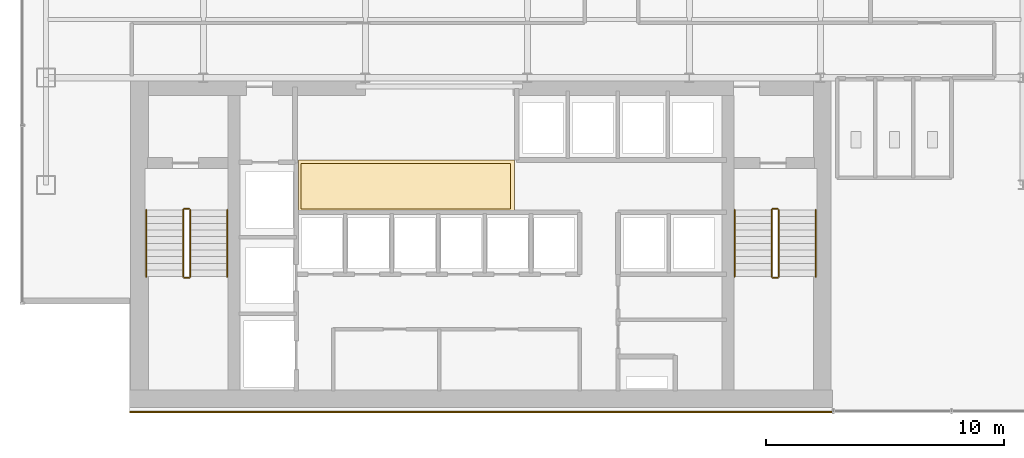
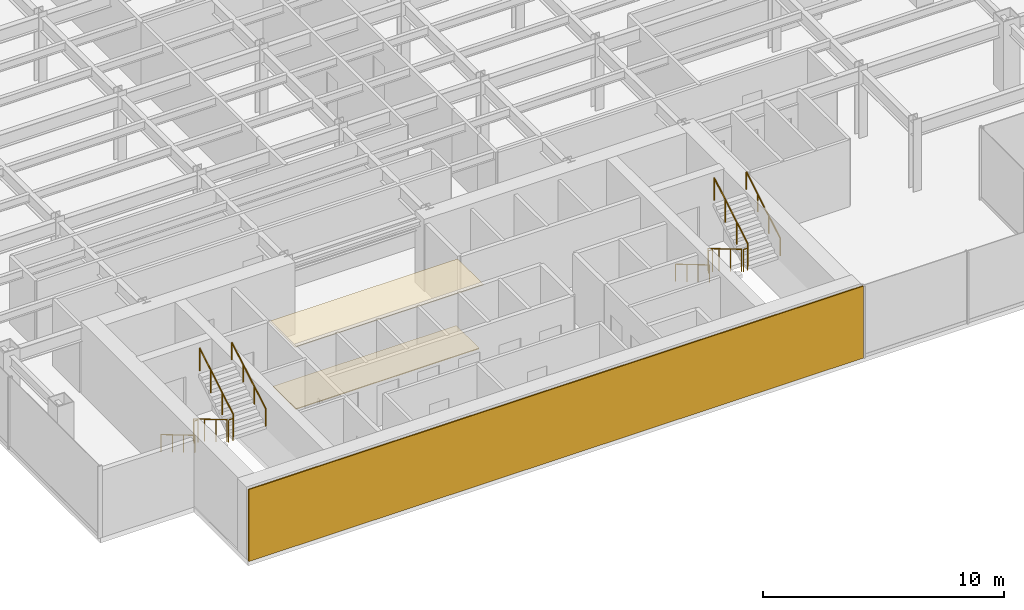
# One storey, part 24 of 26: 12 railings, 3 coverings.
"""IFC4 building model written with IfcOpenShell, lengths in metres."""

from ifc_helpers import new_model, si_unit, derived_unit, direction, frame, origin, origin_2d, place, context, subcontext, project, spatial, polyline, rectangle, circle, outline, extrude, source, transform, mapped, material, layer, layer_set, type_object, element, save


model = new_model("IFC4")

# Units and contexts
model_context = context("Model", 3, precision=1e-05, world=origin(), true_north=direction((0.0, 1.0)))
body_context = subcontext(model_context, "Body", "Model", "MODEL_VIEW")
ifc_project = project(units=[si_unit("LENGTHUNIT", "METRE"), si_unit("AREAUNIT", "SQUARE_METRE"), si_unit("VOLUMEUNIT", "CUBIC_METRE"), si_unit("PLANEANGLEUNIT", "RADIAN"), si_unit("MASSUNIT", "GRAM", prefix="KILO"), derived_unit("THERMALTRANSMITTANCEUNIT", [(si_unit("POWERUNIT", "WATT"), 1), (si_unit("LENGTHUNIT", "METRE"), -2), (si_unit("THERMODYNAMICTEMPERATUREUNIT", "KELVIN"), -1)])], contexts=[model_context])

# Site, building, storey
site_placement = place(None, origin())
site = spatial("IfcSite", under=ifc_project, at=site_placement, CompositionType="ELEMENT")
building_placement = place(site_placement, origin())
building = spatial("IfcBuilding", under=site, at=building_placement, Name="Skarnbrae Concourse Arena and Tower", CompositionType="ELEMENT")
storey_placement = place(building_placement, frame((0.0, 0.0, 95.949951171875)))
storey = spatial("IfcBuildingStorey", under=building, at=storey_placement, Name="L23", CompositionType="ELEMENT", Elevation=95.949951171875)

# Coverings
ifc_material_1 = material(Name="Mineral fibre acoustic ceiling tile", Category="other")
ifc_layer_1 = layer(ifc_material_1, 0.0400390625)
ifc_layer_set_1 = layer_set([ifc_layer_1], Name="Mineral fibre acoustic ceiling tile")
covering_type_1 = type_object("IfcCoveringType", Name="COV-CEIL-ACOUSTIC", PredefinedType="CEILING", material=ifc_layer_set_1)
covering_1_placement = place(storey_placement, frame((0.0, 0.0, 3.239990234375)))
element("IfcCovering", 1, at=covering_1_placement, inside=storey, type_object=covering_type_1, Name="L23 Lift lobby acoustic ceiling", PredefinedType="CEILING", context=body_context, shape_type="SweptSolid", body=[
    extrude(outline(polyline([(11.60009765625, 8.39990234375), (20.64990234375, 8.39990234375), (20.64990234375, 10.550048828125), (11.60009765625, 10.550048828125), (11.60009765625, 8.39990234375)])), origin(), (0.0, 0.0, 1.0), 0.0400390625),
])
ifc_material_2 = material(Name="Polished granite terrazzo flooring", Category="masonry")
ifc_layer_2 = layer(ifc_material_2, 0.0400390625)
ifc_layer_set_2 = layer_set([ifc_layer_2], Name="Polished granite terrazzo flooring")
covering_type_2 = type_object("IfcCoveringType", Name="COV-FLOOR-TERRAZZO", PredefinedType="FLOORING", material=ifc_layer_set_2)
covering_2_placement = place(storey_placement, origin())
element("IfcCovering", 2, at=covering_2_placement, inside=storey, type_object=covering_type_2, Name="L23 Lift lobby terrazzo flooring", PredefinedType="FLOORING", context=body_context, shape_type="SweptSolid", body=[
    extrude(outline(polyline([(11.699951171875, 8.5), (20.5, 8.5), (20.5, 10.39990234375), (11.699951171875, 10.39990234375), (11.699951171875, 8.5)])), origin(), (0.0, 0.0, 1.0), 0.0400390625),
])

# Railings
ifc_material_3 = material(Name="Steel CSA G40.21 350W", Category="steel")
railing_type_1 = type_object("IfcRailingType", Name="RAIL-HANDRAIL-900", PredefinedType="HANDRAIL", material=ifc_material_3)
railing_1_placement = place(storey_placement, frame((5.199951171875, 8.449951171875, 0.166015625)))
element("IfcRailing", 3, at=railing_1_placement, inside=storey, type_object=railing_type_1, Name="L23 ST-1 stair handrail 1", PredefinedType="HANDRAIL", context=body_context, shape_type="SweptSolid", body=[
    extrude(circle(Radius=0.02392578125, at=origin_2d()), frame((0.0, 0.0, 0.8759765625), z_axis=(0.0, -0.860339051648, 0.50972219513), x_axis=(1.0, 0.0, 0.0)), (0.0, 0.0, 1.0), 3.254638671875),
    extrude(circle(Radius=0.02099609375, at=origin_2d()), origin(), (0.0, 0.0, 1.0), 0.851806640625),
    extrude(circle(Radius=0.02099609375, at=origin_2d()), frame((0.0, -0.933349609375, 0.552978515625)), (0.0, 0.0, 1.0), 0.851806640625),
    extrude(circle(Radius=0.02099609375, at=origin_2d()), frame((0.0, -1.86669921875, 1.10595703125)), (0.0, 0.0, 1.0), 0.851806640625),
    extrude(circle(Radius=0.02099609375, at=origin_2d()), frame((0.0, -2.800048828125, 1.658935546875)), (0.0, 0.0, 1.0), 0.851806640625),
])
railing_2_placement = place(storey_placement, frame((8.60009765625, 5.64990234375, 1.990966796875)))
element("IfcRailing", 4, at=railing_2_placement, inside=storey, type_object=railing_type_1, Name="L23 ST-1 stair handrail 2", PredefinedType="HANDRAIL", context=body_context, shape_type="SweptSolid", body=[
    extrude(circle(Radius=0.02392578125, at=origin_2d()), frame((0.0, 0.0, 0.8759765625), z_axis=(0.0, 0.860306154799, 0.50977771628), x_axis=(-1.0, 0.0, 0.0)), (0.0, 0.0, 1.0), 3.254638671875),
    extrude(circle(Radius=0.02099609375, at=origin_2d()), origin(), (0.0, 0.0, 1.0), 0.851806640625),
    extrude(circle(Radius=0.02099609375, at=origin_2d()), frame((0.0, 0.933349609375, 0.552978515625)), (0.0, 0.0, 1.0), 0.851806640625),
    extrude(circle(Radius=0.02099609375, at=origin_2d()), frame((0.0, 1.86669921875, 1.106201171875)), (0.0, 0.0, 1.0), 0.851806640625),
    extrude(circle(Radius=0.02099609375, at=origin_2d()), frame((0.0, 2.800048828125, 1.6591796875)), (0.0, 0.0, 1.0), 0.851806640625),
])
railing_3_placement = place(storey_placement, frame((29.89990234375, 8.449951171875, 0.166015625)))
element("IfcRailing", 5, at=railing_3_placement, inside=storey, type_object=railing_type_1, Name="L23 ST-2 stair handrail 1", PredefinedType="HANDRAIL", context=body_context, shape_type="SweptSolid", body=[
    extrude(circle(Radius=0.02392578125, at=origin_2d()), frame((0.0, 0.0, 0.8759765625), z_axis=(0.0, -0.860339051648, 0.50972219513), x_axis=(1.0, 0.0, 0.0)), (0.0, 0.0, 1.0), 3.254638671875),
    extrude(circle(Radius=0.02099609375, at=origin_2d()), origin(), (0.0, 0.0, 1.0), 0.851806640625),
    extrude(circle(Radius=0.02099609375, at=origin_2d()), frame((0.0, -0.933349609375, 0.552978515625)), (0.0, 0.0, 1.0), 0.851806640625),
    extrude(circle(Radius=0.02099609375, at=origin_2d()), frame((0.0, -1.86669921875, 1.10595703125)), (0.0, 0.0, 1.0), 0.851806640625),
    extrude(circle(Radius=0.02099609375, at=origin_2d()), frame((0.0, -2.800048828125, 1.658935546875)), (0.0, 0.0, 1.0), 0.851806640625),
])
railing_4_placement = place(storey_placement, frame((33.300048828125, 5.64990234375, 1.990966796875)))
element("IfcRailing", 6, at=railing_4_placement, inside=storey, type_object=railing_type_1, Name="L23 ST-2 stair handrail 2", PredefinedType="HANDRAIL", context=body_context, shape_type="SweptSolid", body=[
    extrude(circle(Radius=0.02392578125, at=origin_2d()), frame((0.0, 0.0, 0.8759765625), z_axis=(0.0, 0.860306154799, 0.50977771628), x_axis=(-1.0, 0.0, 0.0)), (0.0, 0.0, 1.0), 3.254638671875),
    extrude(circle(Radius=0.02099609375, at=origin_2d()), origin(), (0.0, 0.0, 1.0), 0.851806640625),
    extrude(circle(Radius=0.02099609375, at=origin_2d()), frame((0.0, 0.933349609375, 0.552978515625)), (0.0, 0.0, 1.0), 0.851806640625),
    extrude(circle(Radius=0.02099609375, at=origin_2d()), frame((0.0, 1.86669921875, 1.106201171875)), (0.0, 0.0, 1.0), 0.851806640625),
    extrude(circle(Radius=0.02099609375, at=origin_2d()), frame((0.0, 2.800048828125, 1.6591796875)), (0.0, 0.0, 1.0), 0.851806640625),
])
railing_type_2 = type_object("IfcRailingType", Name="RAIL-STAIR-GUARD-1150", PredefinedType="GUARDRAIL", material=ifc_material_3)
railing_5_placement = place(storey_placement, frame((6.75, 8.449951171875, 0.166015625)))
element("IfcRailing", 7, at=railing_5_placement, inside=storey, type_object=railing_type_2, Name="L23 ST-1 stair guard 1", PredefinedType="GUARDRAIL", context=body_context, shape_type="SweptSolid", body=[
    extrude(circle(Radius=0.02392578125, at=origin_2d()), frame((0.0, 0.0, 1.1259765625), z_axis=(0.0, -0.860339051648, 0.50972219513), x_axis=(1.0, 0.0, 0.0)), (0.0, 0.0, 1.0), 3.254638671875),
    extrude(circle(Radius=0.02099609375, at=origin_2d()), origin(), (0.0, 0.0, 1.0), 1.101806640625),
    extrude(circle(Radius=0.02099609375, at=origin_2d()), frame((0.0, -0.933349609375, 0.552978515625)), (0.0, 0.0, 1.0), 1.101806640625),
    extrude(circle(Radius=0.02099609375, at=origin_2d()), frame((0.0, -1.86669921875, 1.10595703125)), (0.0, 0.0, 1.0), 1.101806640625),
    extrude(circle(Radius=0.02099609375, at=origin_2d()), frame((0.0, -2.800048828125, 1.658935546875)), (0.0, 0.0, 1.0), 1.101806640625),
])
railing_6_placement = place(storey_placement, frame((6.800048828125, 5.60009765625, 1.824951171875)))
element("IfcRailing", 8, at=railing_6_placement, inside=storey, type_object=railing_type_2, Name="L23 ST-1 stair guard 2", PredefinedType="GUARDRAIL", context=body_context, shape_type="SweptSolid", body=[
    extrude(circle(Radius=0.02392578125, at=origin_2d()), frame((0.0, 0.0, 1.1259765625), z_axis=(1.0, 0.0, 0.0), x_axis=(0.0, 1.0, 0.0)), (0.0, 0.0, 1.0), 0.199951171875),
    extrude(circle(Radius=0.02099609375, at=origin_2d()), origin(), (0.0, 0.0, 1.0), 1.101806640625),
    extrude(circle(Radius=0.02099609375, at=origin_2d()), frame((0.199951171875, 0.0, 0.0)), (0.0, 0.0, 1.0), 1.101806640625),
])
railing_7_placement = place(storey_placement, frame((7.050048828125, 5.64990234375, 1.990966796875)))
element("IfcRailing", 9, at=railing_7_placement, inside=storey, type_object=railing_type_2, Name="L23 ST-1 stair guard 3", PredefinedType="GUARDRAIL", context=body_context, shape_type="SweptSolid", body=[
    extrude(circle(Radius=0.02392578125, at=origin_2d()), frame((0.0, 0.0, 1.1259765625), z_axis=(0.0, 0.860306154799, 0.50977771628), x_axis=(-1.0, 0.0, 0.0)), (0.0, 0.0, 1.0), 3.254638671875),
    extrude(circle(Radius=0.02099609375, at=origin_2d()), origin(), (0.0, 0.0, 1.0), 1.101806640625),
    extrude(circle(Radius=0.02099609375, at=origin_2d()), frame((0.0, 0.933349609375, 0.552978515625)), (0.0, 0.0, 1.0), 1.101806640625),
    extrude(circle(Radius=0.02099609375, at=origin_2d()), frame((0.0, 1.86669921875, 1.106201171875)), (0.0, 0.0, 1.0), 1.101806640625),
    extrude(circle(Radius=0.02099609375, at=origin_2d()), frame((0.0, 2.800048828125, 1.6591796875)), (0.0, 0.0, 1.0), 1.101806640625),
])
railing_8_placement = place(storey_placement, frame((6.800048828125, 8.5, 0.0)))
element("IfcRailing", 10, at=railing_8_placement, inside=storey, type_object=railing_type_2, Name="L23 ST-1 stair guard 4", PredefinedType="GUARDRAIL", context=body_context, shape_type="SweptSolid", body=[
    extrude(circle(Radius=0.02392578125, at=origin_2d()), frame((0.0, 0.0, 1.1259765625), z_axis=(1.0, 0.0, 0.0), x_axis=(0.0, 1.0, 0.0)), (0.0, 0.0, 1.0), 0.199951171875),
    extrude(circle(Radius=0.02099609375, at=origin_2d()), origin(), (0.0, 0.0, 1.0), 1.101806640625),
    extrude(circle(Radius=0.02099609375, at=origin_2d()), frame((0.199951171875, 0.0, 0.0)), (0.0, 0.0, 1.0), 1.101806640625),
])
railing_9_placement = place(storey_placement, frame((31.449951171875, 8.449951171875, 0.166015625)))
element("IfcRailing", 11, at=railing_9_placement, inside=storey, type_object=railing_type_2, Name="L23 ST-2 stair guard 1", PredefinedType="GUARDRAIL", context=body_context, shape_type="SweptSolid", body=[
    extrude(circle(Radius=0.02392578125, at=origin_2d()), frame((0.0, 0.0, 1.1259765625), z_axis=(0.0, -0.860339051648, 0.50972219513), x_axis=(1.0, 0.0, 0.0)), (0.0, 0.0, 1.0), 3.254638671875),
    extrude(circle(Radius=0.02099609375, at=origin_2d()), origin(), (0.0, 0.0, 1.0), 1.101806640625),
    extrude(circle(Radius=0.02099609375, at=origin_2d()), frame((0.0, -0.933349609375, 0.552978515625)), (0.0, 0.0, 1.0), 1.101806640625),
    extrude(circle(Radius=0.02099609375, at=origin_2d()), frame((0.0, -1.86669921875, 1.10595703125)), (0.0, 0.0, 1.0), 1.101806640625),
    extrude(circle(Radius=0.02099609375, at=origin_2d()), frame((0.0, -2.800048828125, 1.658935546875)), (0.0, 0.0, 1.0), 1.101806640625),
])
railing_10_placement = place(storey_placement, frame((31.5, 5.60009765625, 1.824951171875)))
element("IfcRailing", 12, at=railing_10_placement, inside=storey, type_object=railing_type_2, Name="L23 ST-2 stair guard 2", PredefinedType="GUARDRAIL", context=body_context, shape_type="SweptSolid", body=[
    extrude(circle(Radius=0.02392578125, at=origin_2d()), frame((0.0, 0.0, 1.1259765625), z_axis=(1.0, 0.0, 0.0), x_axis=(0.0, 1.0, 0.0)), (0.0, 0.0, 1.0), 0.199951171875),
    extrude(circle(Radius=0.02099609375, at=origin_2d()), origin(), (0.0, 0.0, 1.0), 1.101806640625),
    extrude(circle(Radius=0.02099609375, at=origin_2d()), frame((0.199951171875, 0.0, 0.0)), (0.0, 0.0, 1.0), 1.101806640625),
])
railing_11_placement = place(storey_placement, frame((31.75, 5.64990234375, 1.990966796875)))
element("IfcRailing", 13, at=railing_11_placement, inside=storey, type_object=railing_type_2, Name="L23 ST-2 stair guard 3", PredefinedType="GUARDRAIL", context=body_context, shape_type="SweptSolid", body=[
    extrude(circle(Radius=0.02392578125, at=origin_2d()), frame((0.0, 0.0, 1.1259765625), z_axis=(0.0, 0.860306154799, 0.50977771628), x_axis=(-1.0, 0.0, 0.0)), (0.0, 0.0, 1.0), 3.254638671875),
    extrude(circle(Radius=0.02099609375, at=origin_2d()), origin(), (0.0, 0.0, 1.0), 1.101806640625),
    extrude(circle(Radius=0.02099609375, at=origin_2d()), frame((0.0, 0.933349609375, 0.552978515625)), (0.0, 0.0, 1.0), 1.101806640625),
    extrude(circle(Radius=0.02099609375, at=origin_2d()), frame((0.0, 1.86669921875, 1.106201171875)), (0.0, 0.0, 1.0), 1.101806640625),
    extrude(circle(Radius=0.02099609375, at=origin_2d()), frame((0.0, 2.800048828125, 1.6591796875)), (0.0, 0.0, 1.0), 1.101806640625),
])
railing_12_placement = place(storey_placement, frame((31.5, 8.5, 0.0)))
element("IfcRailing", 14, at=railing_12_placement, inside=storey, type_object=railing_type_2, Name="L23 ST-2 stair guard 4", PredefinedType="GUARDRAIL", context=body_context, shape_type="SweptSolid", body=[
    extrude(circle(Radius=0.02392578125, at=origin_2d()), frame((0.0, 0.0, 1.1259765625), z_axis=(1.0, 0.0, 0.0), x_axis=(0.0, 1.0, 0.0)), (0.0, 0.0, 1.0), 0.199951171875),
    extrude(circle(Radius=0.02099609375, at=origin_2d()), origin(), (0.0, 0.0, 1.0), 1.101806640625),
    extrude(circle(Radius=0.02099609375, at=origin_2d()), frame((0.199951171875, 0.0, 0.0)), (0.0, 0.0, 1.0), 1.101806640625),
])

# Covering
ifc_material_4 = material(Name="Bronze anodised aluminium 6063-T6", Category="aluminium")
ifc_layer_3 = layer(ifc_material_4, 0.06005859375)
ifc_layer_set_3 = layer_set([ifc_layer_3], Name="Bronze anodised aluminium 6063-T6")
covering_type_3 = type_object("IfcCoveringType", Name="COV-CLAD-BRONZE-60", PredefinedType="CLADDING", material=ifc_layer_set_3)
shared_shape = source(origin(), body_context, "Body", "SweptSolid", [
    extrude(rectangle(XDim=29.5, YDim=0.06005859375, at=origin_2d()), origin(), (0.0, 0.0, 1.0), 3.64990234375),
])
covering_3_placement = place(storey_placement, frame((19.25, -0.030029296875, 0.0), z_axis=(0.0, 0.0, 1.0), x_axis=(1.0, 0.0, 0.0)))
element("IfcCovering", 15, at=covering_3_placement, inside=storey, type_object=covering_type_3, Name="L23 Rear-core plumb spine bronze rainscreen panel", PredefinedType="CLADDING", context=body_context, shape_type="MappedRepresentation", body=[
    mapped(shared_shape, transform((0.0, 0.0, 0.0))),
])

save(model, "model.ifc")
